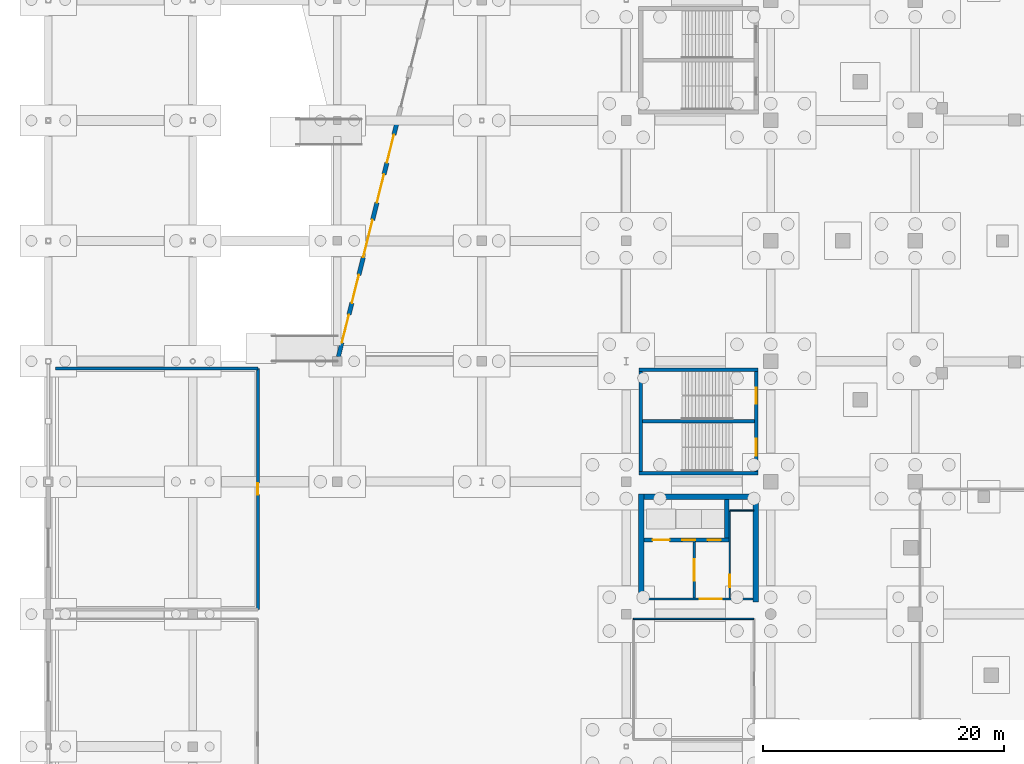
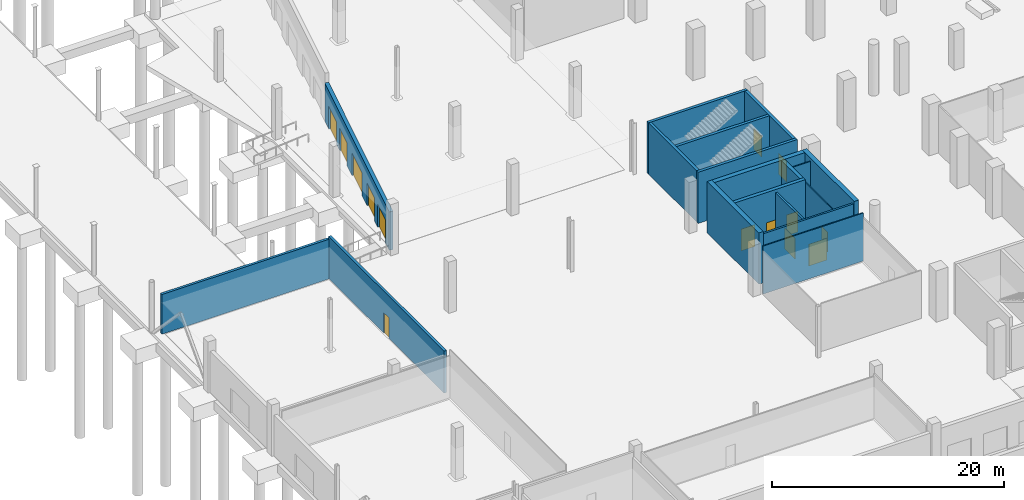
# One storey, part 49 of 70: 18 walls, 14 doors, 14 openings.
"""IFC4 building model written with IfcOpenShell, lengths in metres."""

import ifcopenshell
import ifcopenshell.guid

model = None  # the IFC model being written
_history = None  # IfcOwnerHistory: only IFC2X3 demands one
_inside = {}  # id of a spatial element -> (the spatial element, [elements in it])
_under = {}  # id of a project, library or spatial element -> (it, [spatial elements below it])
_declared = {}  # id of a project -> (the project, [libraries it declares])
_typed = {}  # id of a type object -> (the type object, [elements of that type])
_made_of = {}  # id of a material, layer set ... -> (it, [elements and type objects made of it])


def new_model(schema):
    """Start an empty IFC model of exactly this schema.

    Asked for "IFC4X3", IfcOpenShell would pick the latest addendum, in which some entities
    have other attributes; the version numbers below select the first issue.
    IFC2X3 requires an IfcOwnerHistory on every rooted entity: one is made here for all.
    """
    global model, _history
    if schema == "IFC4X3":
        model = ifcopenshell.file(schema_version=(4, 3, 0, 0))
    else:
        model = ifcopenshell.file(schema=schema)
    _inside.clear()
    _under.clear()
    _declared.clear()
    _typed.clear()
    _made_of.clear()
    _history = None
    if model.schema == "IFC2X3":
        org = make("IfcOrganization", Name="unknown")
        user = make(
            "IfcPersonAndOrganization",
            ThePerson=make("IfcPerson", FamilyName="unknown"),
            TheOrganization=org,
        )
        app = make(
            "IfcApplication",
            ApplicationDeveloper=org,
            Version="unknown",
            ApplicationFullName="unknown",
            ApplicationIdentifier="unknown",
        )
        _history = make(
            "IfcOwnerHistory",
            OwningUser=user,
            OwningApplication=app,
            ChangeAction="ADDED",
            CreationDate=0,
        )
    return model


def make(cls, **values):
    """One entity of the class cls with the attributes given. An attribute that is None is left unset."""
    return model.create_entity(
        cls, **{name: value for name, value in values.items() if value is not None}
    )


def rooted(cls, **values):
    """An entity with a GlobalId (a new one), such as an element, a storey or a relation."""
    return make(cls, GlobalId=ifcopenshell.guid.new(), OwnerHistory=_history, **values)


def si_unit(unit_type, name, prefix=None):
    """IfcSIUnit, for example si_unit("LENGTHUNIT", "METRE", prefix="MILLI")."""
    return make("IfcSIUnit", UnitType=unit_type, Prefix=prefix, Name=name)


def assignment(units):
    """IfcUnitAssignment: the units of a project."""
    return None if units is None else make("IfcUnitAssignment", Units=units)


def point(xyz):
    """IfcCartesianPoint."""
    return None if xyz is None else make("IfcCartesianPoint", Coordinates=xyz)


def direction(xyz):
    """IfcDirection."""
    return None if xyz is None else make("IfcDirection", DirectionRatios=xyz)


def frame(location, z_axis=None, x_axis=None):
    """IfcAxis2Placement3D, a coordinate frame: its origin and axes. An axis left out is left unset."""
    return make(
        "IfcAxis2Placement3D",
        Location=point(location),
        Axis=direction(z_axis),
        RefDirection=direction(x_axis),
    )


def frame_2d(location, x_axis=None):
    """IfcAxis2Placement2D, a coordinate frame in the plane: its origin and x axis."""
    return make(
        "IfcAxis2Placement2D", Location=point(location), RefDirection=direction(x_axis)
    )


def origin():
    """The frame at (0, 0, 0) with its axes left unset."""
    return frame((0.0, 0.0, 0.0))


def place(relative_to, where):
    """IfcLocalPlacement: puts the frame where relative to a parent placement (None: the world)."""
    return make(
        "IfcLocalPlacement", PlacementRelTo=relative_to, RelativePlacement=where
    )


def context(
    kind, dimensions, precision=None, world=None, true_north=None, identifier=None
):
    """IfcGeometricRepresentationContext, for example the 3D "Model" context."""
    return make(
        "IfcGeometricRepresentationContext",
        ContextIdentifier=identifier,
        ContextType=kind,
        CoordinateSpaceDimension=dimensions,
        Precision=precision,
        WorldCoordinateSystem=world,
        TrueNorth=true_north,
    )


def subcontext(parent, identifier, kind, view, scale=None):
    """IfcGeometricRepresentationSubContext, for example "Body" below "Model"."""
    return make(
        "IfcGeometricRepresentationSubContext",
        ContextIdentifier=identifier,
        ContextType=kind,
        ParentContext=parent,
        TargetScale=scale,
        TargetView=view,
    )


def project(units=None, contexts=None):
    """IfcProject with its units and contexts."""
    return rooted(
        "IfcProject",
        Name="project",
        RepresentationContexts=contexts,
        UnitsInContext=assignment(units),
    )


def spatial(cls, under=None, at=None, **own):
    """A site, building, storey or space (cls), placed at a placement, below another one or the project."""
    s = rooted(cls, ObjectPlacement=at, **own)
    if under is not None:
        _under.setdefault(under.id(), (under, []))[1].append(s)
    return s


def profile(cls, at=None, kind="AREA", **sizes):
    """A parametric profile (cls). Its sizes go by their IFC names, for example OverallWidth=200.0."""
    return make(cls, ProfileType=kind, Position=at, **sizes)


def rectangle(**sizes):
    """IfcRectangleProfileDef."""
    return profile("IfcRectangleProfileDef", **sizes)


def extrude(swept, where, along, depth):
    """IfcExtrudedAreaSolid: the profile swept, set in the frame where, extruded along a direction by depth."""
    return make(
        "IfcExtrudedAreaSolid",
        SweptArea=swept,
        Position=where,
        ExtrudedDirection=direction(along),
        Depth=depth,
    )


def shape(context_of_items, identifier, shape_type, items):
    """IfcShapeRepresentation: the items that make up one representation, for example the "Body"."""
    return make(
        "IfcShapeRepresentation",
        ContextOfItems=context_of_items,
        RepresentationIdentifier=identifier,
        RepresentationType=shape_type,
        Items=items,
    )


def material(Name=None, Category=None):
    """IfcMaterial."""
    return make("IfcMaterial", Name=Name, Category=Category)


def layer(
    of_material, thickness, ventilated=None, Name=None, Category=None, Priority=None
):
    """IfcMaterialLayer: one layer of a wall or slab, of a material (None: an air gap)."""
    return make(
        "IfcMaterialLayer",
        Material=of_material,
        LayerThickness=thickness,
        IsVentilated=ventilated,
        Name=Name,
        Category=Category,
        Priority=Priority,
    )


def layer_set(layers, Name=None):
    """IfcMaterialLayerSet."""
    return make("IfcMaterialLayerSet", MaterialLayers=layers, LayerSetName=Name)


def made_of(thing, what):
    """Note that an element or type object is made of a material, layer set ...; save() writes the relation."""
    if what is not None:
        _made_of.setdefault(what.id(), (what, []))[1].append(thing)
    return thing


def type_object(cls, material=None, **own):
    """A type object (cls), such as IfcWallType, which elements share."""
    return made_of(rooted(cls, **own), material)


def element(
    cls,
    number,
    at=None,
    inside=None,
    cuts=None,
    type_object=None,
    material=None,
    context=None,
    identifier="Body",
    shape_type=None,
    held_by="IfcProductDefinitionShape",
    body=None,
    shapes=None,
    **own,
):
    """One element of the class cls, such as IfcWall. Its Tag is "e" and its number.

    at: its placement. inside: the storey or other place that contains it. cuts: it is an
    opening in that element (IfcRelVoidsElement). A single representation is given by context,
    identifier, shape_type and body (its items); several are given by shapes. held_by: the class
    of the entity that holds the representations. save() writes the other relations.
    """
    e = rooted(cls, Tag="e%d" % number, ObjectPlacement=at, **own)
    if body is not None:
        shapes = [shape(context, identifier, shape_type, body)]
    if shapes is not None:
        e.Representation = make(held_by, Representations=shapes)
    if inside is not None:
        _inside.setdefault(inside.id(), (inside, []))[1].append(e)
    if cuts is not None:
        rooted(
            "IfcRelVoidsElement", RelatingBuildingElement=cuts, RelatedOpeningElement=e
        )
    if type_object is not None:
        _typed.setdefault(type_object.id(), (type_object, []))[1].append(e)
    return made_of(e, material)


def fill(opening, filler):
    """IfcRelFillsElement: the door or window that sits in an opening."""
    return rooted(
        "IfcRelFillsElement",
        RelatingOpeningElement=opening,
        RelatedBuildingElement=filler,
    )


def aggregate(whole, parts):
    """IfcRelAggregates: a whole, such as a stair, and the parts it consists of."""
    return rooted("IfcRelAggregates", RelatingObject=whole, RelatedObjects=parts)


def save(model, path):
    """Write the relations noted so far, then the file.

    IfcRelAggregates (storeys below a building ...), IfcRelContainedInSpatialStructure (elements
    in a storey), IfcRelDefinesByType, IfcRelAssociatesMaterial and IfcRelDeclares: one each for
    every whole, place, type object, material and project.
    """
    for whole, parts in _under.values():
        aggregate(whole, parts)
    for where, things in _inside.values():
        rooted(
            "IfcRelContainedInSpatialStructure",
            RelatedElements=things,
            RelatingStructure=where,
        )
    for kind, things in _typed.values():
        rooted("IfcRelDefinesByType", RelatedObjects=things, RelatingType=kind)
    for what, things in _made_of.values():
        rooted("IfcRelAssociatesMaterial", RelatedObjects=things, RelatingMaterial=what)
    for by, libraries in _declared.values():
        rooted("IfcRelDeclares", RelatingContext=by, RelatedDefinitions=libraries)
    model.write(path)


model = new_model("IFC4")

# Units and contexts
model_context = context("Model", 3, precision=1e-05, world=origin(), true_north=direction((0.0, 1.0)))
body_context = subcontext(model_context, "Body", "Model", "MODEL_VIEW")
ifc_project = project(units=[si_unit("LENGTHUNIT", "METRE"), si_unit("AREAUNIT", "SQUARE_METRE"), si_unit("VOLUMEUNIT", "CUBIC_METRE"), si_unit("PLANEANGLEUNIT", "RADIAN"), si_unit("MASSUNIT", "GRAM", prefix="KILO")], contexts=[model_context])

# Site, building, storey
site_placement = place(None, origin())
site = spatial("IfcSite", under=ifc_project, at=site_placement, CompositionType="ELEMENT")
building_placement = place(site_placement, origin())
building = spatial("IfcBuilding", under=site, at=building_placement, Name="Brinegate Civic Arena", CompositionType="ELEMENT")
storey_placement = place(building_placement, origin())
storey = spatial("IfcBuildingStorey", under=building, at=storey_placement, Name="L00", CompositionType="ELEMENT", Elevation=0.0)

# Wall, openings, doors
ifc_material_1 = material(Name="Concrete C50/60", Category="concrete")
ifc_layer_1 = layer(ifc_material_1, 0.35009765625, Name="Concrete C50/60")
ifc_layer_set_1 = layer_set([ifc_layer_1], Name="Concrete C50/60")
wall_type_1 = type_object("IfcWallType", Name="WALL-CORE-SHEAR-350", PredefinedType="SHEAR", material=ifc_layer_set_1)
wall_1_placement = place(storey_placement, frame((49.47509765625, 37.14990234375, 0.0), z_axis=(0.0, 0.0, 1.0), x_axis=(1.0, 0.0, 0.0)))
wall_1 = element("IfcWall", 1, at=wall_1_placement, inside=storey, type_object=wall_type_1, Name="Core K2 Lift Shaft Front Wall L00 (WBF-93)", PredefinedType="SHEAR", context=body_context, shape_type="SweptSolid", body=[
    extrude(rectangle(XDim=7.0498046875, YDim=0.35009765625, at=frame_2d((3.52490234375, 0.0))), origin(), (0.0, 0.0, 1.0), 5.39990234375),
])
opening_1_placement = place(wall_1_placement, frame((0.72509765625, 0.0, 0.0)))
opening_1 = element("IfcOpeningElement", 2, at=opening_1_placement, cuts=wall_1, Name="Opening LD-FL2-L00", PredefinedType="OPENING", context=body_context, shape_type="SweptSolid", body=[
    extrude(rectangle(XDim=1.39990234375, YDim=2.300048828125, at=frame_2d((0.699951171875, 1.14990234375))), frame((0.0, 0.18505859375, 0.0), z_axis=(0.0, -1.0, 0.0), x_axis=(1.0, 0.0, 0.0)), (0.0, 0.0, 1.0), 0.3701171875),
])
opening_2_placement = place(wall_1_placement, frame((3.175048828125, 0.0, 0.0)))
opening_2 = element("IfcOpeningElement", 3, at=opening_2_placement, cuts=wall_1, Name="Opening LD-PL3-L00", PredefinedType="OPENING", context=body_context, shape_type="SweptSolid", body=[
    extrude(rectangle(XDim=1.10009765625, YDim=2.199951171875, at=frame_2d((0.550048828125, 1.10009765625))), frame((0.0, 0.18505859375, 0.0), z_axis=(0.0, -1.0, 0.0), x_axis=(1.0, 0.0, 0.0)), (0.0, 0.0, 1.0), 0.3701171875),
])
opening_3_placement = place(wall_1_placement, frame((5.27490234375, 0.0, 0.0)))
opening_3 = element("IfcOpeningElement", 4, at=opening_3_placement, cuts=wall_1, Name="Opening LD-PL4-L00", PredefinedType="OPENING", context=body_context, shape_type="SweptSolid", body=[
    extrude(rectangle(XDim=1.10009765625, YDim=2.199951171875, at=frame_2d((0.550048828125, 1.10009765625))), frame((0.0, 0.18505859375, 0.0), z_axis=(0.0, -1.0, 0.0), x_axis=(1.0, 0.0, 0.0)), (0.0, 0.0, 1.0), 0.3701171875),
])
ifc_material_2 = material(Name="Architectural stainless steel balustrade", Category="steel")
door_type_1 = type_object("IfcDoorType", Name="DOOR-LIFT-1100X2200", OperationType="SLIDING_TO_LEFT", PredefinedType="DOOR", material=ifc_material_2)
door_1_placement = place(opening_2_placement, origin())
door_1 = element("IfcDoor", 5, at=door_1_placement, inside=storey, type_object=door_type_1, Name="Sliding Lift Landing Door LD-PL3-L00", OperationType="SLIDING_TO_LEFT", OverallHeight=2.199951171875, OverallWidth=1.10009765625, PredefinedType="DOOR", context=body_context, shape_type="SweptSolid", body=[
    extrude(rectangle(XDim=1.10009765625, YDim=2.199951171875, at=frame_2d((0.550048828125, 1.10009765625))), frame((0.0, 0.02490234375, 0.0), z_axis=(0.0, -1.0, 0.0), x_axis=(1.0, 0.0, 0.0)), (0.0, 0.0, 1.0), 0.050048828125),
])
fill(opening_2, door_1)
door_2_placement = place(opening_3_placement, origin())
door_2 = element("IfcDoor", 6, at=door_2_placement, inside=storey, type_object=door_type_1, Name="Sliding Lift Landing Door LD-PL4-L00", OperationType="SLIDING_TO_LEFT", OverallHeight=2.199951171875, OverallWidth=1.10009765625, PredefinedType="DOOR", context=body_context, shape_type="SweptSolid", body=[
    extrude(rectangle(XDim=1.10009765625, YDim=2.199951171875, at=frame_2d((0.550048828125, 1.10009765625))), frame((0.0, 0.02490234375, 0.0), z_axis=(0.0, -1.0, 0.0), x_axis=(1.0, 0.0, 0.0)), (0.0, 0.0, 1.0), 0.050048828125),
])
fill(opening_3, door_2)
door_type_2 = type_object("IfcDoorType", Name="DOOR-LIFT-1400X2300", OperationType="SLIDING_TO_LEFT", PredefinedType="DOOR", material=ifc_material_2)
door_3_placement = place(opening_1_placement, origin())
door_3 = element("IfcDoor", 7, at=door_3_placement, inside=storey, type_object=door_type_2, Name="Sliding Lift Landing Door LD-FL2-L00", OperationType="SLIDING_TO_LEFT", OverallHeight=2.300048828125, OverallWidth=1.39990234375, PredefinedType="DOOR", context=body_context, shape_type="SweptSolid", body=[
    extrude(rectangle(XDim=1.39990234375, YDim=2.300048828125, at=frame_2d((0.699951171875, 1.14990234375))), frame((0.0, 0.02490234375, 0.0), z_axis=(0.0, -1.0, 0.0), x_axis=(1.0, 0.0, 0.0)), (0.0, 0.0, 1.0), 0.050048828125),
])
fill(opening_1, door_3)

# Walls
wall_2_placement = place(storey_placement, frame((56.35009765625, 37.324951171875, 0.0), z_axis=(0.0, 0.0, 1.0), x_axis=(0.0, 1.0, 0.0)))
element("IfcWall", 8, at=wall_2_placement, inside=storey, type_object=wall_type_1, Name="Core K2 Lift Shaft End Wall L00 (WBF-94)", PredefinedType="SHEAR", context=body_context, shape_type="SweptSolid", body=[
    extrude(rectangle(XDim=3.199951171875, YDim=0.35009765625, at=frame_2d((1.60009765625, 0.0))), origin(), (0.0, 0.0, 1.0), 5.39990234375),
])
ifc_layer_2 = layer(ifc_material_1, 0.449951171875, Name="Concrete C50/60")
ifc_layer_set_2 = layer_set([ifc_layer_2], Name="Concrete C50/60")
wall_type_2 = type_object("IfcWallType", Name="WALL-CORE-SHEAR-450", PredefinedType="SHEAR", material=ifc_layer_set_2)
for number, where, z_axis, x_axis, name in (
    (9, (49.25, 32.02490234375, 0.0), (0.0, 0.0, 1.0), (0.0, 1.0, 0.0), "Core K2 West Shear Wall L00 (WBF-90)"),
    (10, (58.75, 32.02490234375, 0.0), (0.0, 0.0, 1.0), (0.0, 1.0, 0.0), "Core K2 East Shear Wall L00 (WBF-91)"),
):
    element("IfcWall", number, at=place(storey_placement, frame(where, z_axis=z_axis, x_axis=x_axis)), inside=storey, type_object=wall_type_2, Name=name, PredefinedType="SHEAR", context=body_context, shape_type="SweptSolid", body=[
        extrude(rectangle(XDim=8.9501953125, YDim=0.449951171875, at=frame_2d((4.47509765625, 0.0))), origin(), (0.0, 0.0, 1.0), 5.39990234375),
    ])
wall_3_placement = place(storey_placement, frame((49.47509765625, 40.75, 0.0), z_axis=(0.0, 0.0, 1.0), x_axis=(1.0, 0.0, 0.0)))
element("IfcWall", 11, at=wall_3_placement, inside=storey, type_object=wall_type_2, Name="Core K2 North Shear Wall L00 (WBF-92)", PredefinedType="SHEAR", context=body_context, shape_type="SweptSolid", body=[
    extrude(rectangle(XDim=9.0498046875, YDim=0.449951171875, at=frame_2d((4.52490234375, 0.0))), origin(), (0.0, 0.0, 1.0), 5.39990234375),
])

# Wall, openings, doors
ifc_material_3 = material(Name="Precast concrete C45/55", Category="concrete")
ifc_layer_3 = layer(ifc_material_3, 0.360107421875, Name="Precast concrete C45/55")
ifc_layer_set_3 = layer_set([ifc_layer_3], Name="Precast concrete C45/55")
wall_type_3 = type_object("IfcWallType", Name="WALL-EXT-PRECAST-360", PredefinedType="SOLIDWALL", material=ifc_layer_set_3)
wall_4_placement = place(storey_placement, frame((24.093017578125, 52.3740234375, 0.0), z_axis=(0.0, 0.0, 1.0), x_axis=(0.242558341543, 0.970136820736, 0.0)))
wall_4 = element("IfcWall", 12, at=wall_4_placement, inside=storey, type_object=wall_type_3, Name="L00 Perimeter Wall WF-1 (WBA-28)", PredefinedType="SOLIDWALL", context=body_context, shape_type="SweptSolid", body=[
    extrude(rectangle(XDim=20.230224609375, YDim=0.360107421875, at=frame_2d((10.115234375, 0.0))), origin(), (0.0, 0.0, 1.0), 4.0400390625),
])
opening_4_placement = place(wall_4_placement, frame((8.514892578125, 0.0, 0.0)))
opening_4 = element("IfcOpeningElement", 13, at=opening_4_placement, cuts=wall_4, Name="Opening E-11", PredefinedType="OPENING", context=body_context, shape_type="SweptSolid", body=[
    extrude(rectangle(XDim=3.199951171875, YDim=2.39990234375, at=frame_2d((1.60009765625, 1.199951171875))), frame((0.0, 0.18994140625, 0.0), z_axis=(0.0, -1.0, 0.0), x_axis=(1.0, 0.0, 0.0)), (0.0, 0.0, 1.0), 0.380126953125),
])
opening_5_placement = place(wall_4_placement, frame((1.199951171875, 0.0, 0.0)))
opening_5 = element("IfcOpeningElement", 14, at=opening_5_placement, cuts=wall_4, Name="Opening E-19", PredefinedType="OPENING", context=body_context, shape_type="SweptSolid", body=[
    extrude(rectangle(XDim=2.39990234375, YDim=2.39990234375, at=frame_2d((1.199951171875, 1.199951171875))), frame((0.0, 0.18994140625, 0.0), z_axis=(0.0, -1.0, 0.0), x_axis=(1.0, 0.0, 0.0)), (0.0, 0.0, 1.0), 0.380126953125),
])
opening_6_placement = place(wall_4_placement, frame((4.60009765625, 0.0, 0.0)))
opening_6 = element("IfcOpeningElement", 15, at=opening_6_placement, cuts=wall_4, Name="Opening E-20", PredefinedType="OPENING", context=body_context, shape_type="SweptSolid", body=[
    extrude(rectangle(XDim=2.39990234375, YDim=2.39990234375, at=frame_2d((1.199951171875, 1.199951171875))), frame((0.0, 0.18994140625, 0.0), z_axis=(0.0, -1.0, 0.0), x_axis=(1.0, 0.0, 0.0)), (0.0, 0.0, 1.0), 0.380126953125),
])
opening_7_placement = place(wall_4_placement, frame((13.199951171875, 0.0, 0.0)))
opening_7 = element("IfcOpeningElement", 16, at=opening_7_placement, cuts=wall_4, Name="Opening E-21", PredefinedType="OPENING", context=body_context, shape_type="SweptSolid", body=[
    extrude(rectangle(XDim=2.39990234375, YDim=2.39990234375, at=frame_2d((1.199951171875, 1.199951171875))), frame((0.0, 0.18994140625, 0.0), z_axis=(0.0, -1.0, 0.0), x_axis=(1.0, 0.0, 0.0)), (0.0, 0.0, 1.0), 0.380126953125),
])
opening_8_placement = place(wall_4_placement, frame((16.60009765625, 0.0, 0.0)))
opening_8 = element("IfcOpeningElement", 17, at=opening_8_placement, cuts=wall_4, Name="Opening E-22", PredefinedType="OPENING", context=body_context, shape_type="SweptSolid", body=[
    extrude(rectangle(XDim=2.39990234375, YDim=2.39990234375, at=frame_2d((1.199951171875, 1.199951171875))), frame((0.0, 0.18994140625, 0.0), z_axis=(0.0, -1.0, 0.0), x_axis=(1.0, 0.0, 0.0)), (0.0, 0.0, 1.0), 0.380126953125),
])
ifc_material_4 = material(Name="Marine grade aluminium", Category="aluminium")
door_type_3 = type_object("IfcDoorType", Name="DOOR-FINAL-EXIT-2400X2400", OperationType="NOTDEFINED", PredefinedType="DOOR", material=ifc_material_4)
door_4_placement = place(opening_5_placement, origin())
door_4 = element("IfcDoor", 18, at=door_4_placement, inside=storey, type_object=door_type_3, Name="Main Pedestrian Final Exit Door E-19", OperationType="DOUBLE_DOOR_SINGLE_SWING", OverallHeight=2.39990234375, OverallWidth=2.39990234375, PredefinedType="DOOR", context=body_context, shape_type="SweptSolid", body=[
    extrude(rectangle(XDim=2.39990234375, YDim=2.39990234375, at=frame_2d((1.199951171875, 1.199951171875))), frame((0.0, 0.02490234375, 0.0), z_axis=(0.0, -1.0, 0.0), x_axis=(1.0, 0.0, 0.0)), (0.0, 0.0, 1.0), 0.050048828125),
])
fill(opening_5, door_4)
door_5_placement = place(opening_6_placement, origin())
door_5 = element("IfcDoor", 19, at=door_5_placement, inside=storey, type_object=door_type_3, Name="Main Pedestrian Final Exit Door E-20", OperationType="DOUBLE_DOOR_SINGLE_SWING", OverallHeight=2.39990234375, OverallWidth=2.39990234375, PredefinedType="DOOR", context=body_context, shape_type="SweptSolid", body=[
    extrude(rectangle(XDim=2.39990234375, YDim=2.39990234375, at=frame_2d((1.199951171875, 1.199951171875))), frame((0.0, 0.02490234375, 0.0), z_axis=(0.0, -1.0, 0.0), x_axis=(1.0, 0.0, 0.0)), (0.0, 0.0, 1.0), 0.050048828125),
])
fill(opening_6, door_5)
door_6_placement = place(opening_7_placement, origin())
door_6 = element("IfcDoor", 20, at=door_6_placement, inside=storey, type_object=door_type_3, Name="Main Pedestrian Final Exit Door E-21", OperationType="DOUBLE_DOOR_SINGLE_SWING", OverallHeight=2.39990234375, OverallWidth=2.39990234375, PredefinedType="DOOR", context=body_context, shape_type="SweptSolid", body=[
    extrude(rectangle(XDim=2.39990234375, YDim=2.39990234375, at=frame_2d((1.199951171875, 1.199951171875))), frame((0.0, 0.02490234375, 0.0), z_axis=(0.0, -1.0, 0.0), x_axis=(1.0, 0.0, 0.0)), (0.0, 0.0, 1.0), 0.050048828125),
])
fill(opening_7, door_6)
door_7_placement = place(opening_8_placement, origin())
door_7 = element("IfcDoor", 21, at=door_7_placement, inside=storey, type_object=door_type_3, Name="Main Pedestrian Final Exit Door E-22", OperationType="DOUBLE_DOOR_SINGLE_SWING", OverallHeight=2.39990234375, OverallWidth=2.39990234375, PredefinedType="DOOR", context=body_context, shape_type="SweptSolid", body=[
    extrude(rectangle(XDim=2.39990234375, YDim=2.39990234375, at=frame_2d((1.199951171875, 1.199951171875))), frame((0.0, 0.02490234375, 0.0), z_axis=(0.0, -1.0, 0.0), x_axis=(1.0, 0.0, 0.0)), (0.0, 0.0, 1.0), 0.050048828125),
])
fill(opening_8, door_7)
door_type_4 = type_object("IfcDoorType", Name="DOOR-FINAL-EXIT-3200X2400", OperationType="NOTDEFINED", PredefinedType="DOOR", material=ifc_material_4)
door_8_placement = place(opening_4_placement, origin())
door_8 = element("IfcDoor", 22, at=door_8_placement, inside=storey, type_object=door_type_4, Name="Main Pedestrian Final Exit Door E-11", OperationType="DOUBLE_DOOR_SINGLE_SWING", OverallHeight=2.39990234375, OverallWidth=3.199951171875, PredefinedType="DOOR", context=body_context, shape_type="SweptSolid", body=[
    extrude(rectangle(XDim=3.199951171875, YDim=2.39990234375, at=frame_2d((1.60009765625, 1.199951171875))), frame((0.0, 0.02490234375, 0.0), z_axis=(0.0, -1.0, 0.0), x_axis=(1.0, 0.0, 0.0)), (0.0, 0.0, 1.0), 0.050048828125),
])
fill(opening_4, door_8)

# Wall, opening, door
ifc_material_5 = material(Name="Concrete C40/50", Category="concrete")
ifc_layer_4 = layer(ifc_material_5, 0.25, Name="Concrete C40/50")
ifc_layer_set_4 = layer_set([ifc_layer_4], Name="Concrete C40/50")
wall_type_4 = type_object("IfcWallType", Name="WALL-INT-SOLID-250", PredefinedType="SOLIDWALL", material=ifc_layer_set_4)
wall_5_placement = place(storey_placement, frame((17.39990234375, 51.39990234375, 0.0), z_axis=(0.0, 0.0, 1.0), x_axis=(0.0, -1.0, 0.0)))
wall_5 = element("IfcWall", 23, at=wall_5_placement, inside=storey, type_object=wall_type_4, Name="Youth Sports Classrooms and Coaching Rooms Partition Wall E1 (WBI-63)", PredefinedType="SOLIDWALL", context=body_context, shape_type="SweptSolid", body=[
    extrude(rectangle(XDim=20.0, YDim=0.25, at=frame_2d((10.0, 0.0))), origin(), (0.0, 0.0, 1.0), 4.424072265625),
])
opening_9_placement = place(wall_5_placement, frame((9.52490234375, 0.0, 0.0)))
opening_9 = element("IfcOpeningElement", 24, at=opening_9_placement, cuts=wall_5, Name="Opening D-L00-162", PredefinedType="OPENING", context=body_context, shape_type="SweptSolid", body=[
    extrude(rectangle(XDim=0.949951171875, YDim=2.14990234375, at=frame_2d((0.47509765625, 1.074951171875))), frame((0.0, 0.135009765625, 0.0), z_axis=(0.0, -1.0, 0.0), x_axis=(1.0, 0.0, 0.0)), (0.0, 0.0, 1.0), 0.27001953125),
])
ifc_material_6 = material(Name="Hardwood acoustic timber door", Category="wood")
door_type_5 = type_object("IfcDoorType", Name="DOOR-OFFICE-950X2150", OperationType="NOTDEFINED", PredefinedType="DOOR", material=ifc_material_6)
door_9_placement = place(opening_9_placement, origin())
door_9 = element("IfcDoor", 25, at=door_9_placement, inside=storey, type_object=door_type_5, Name="Youth Sports Classrooms and Coaching Rooms Door D-L00-162", OperationType="SINGLE_SWING_LEFT", OverallHeight=2.14990234375, OverallWidth=0.949951171875, PredefinedType="DOOR", context=body_context, shape_type="SweptSolid", body=[
    extrude(rectangle(XDim=0.949951171875, YDim=2.14990234375, at=frame_2d((0.47509765625, 1.074951171875))), frame((0.0, 0.02490234375, 0.0), z_axis=(0.0, -1.0, 0.0), x_axis=(1.0, 0.0, 0.0)), (0.0, 0.0, 1.0), 0.050048828125),
])
fill(opening_9, door_9)

# Wall
wall_6_placement = place(storey_placement, frame((0.60009765625, 51.39990234375, 0.0), z_axis=(0.0, 0.0, 1.0), x_axis=(1.0, 0.0, 0.0)))
element("IfcWall", 26, at=wall_6_placement, inside=storey, type_object=wall_type_4, Name="Youth Sports Classrooms and Coaching Rooms Partition Wall E4 (WBI-65)", PredefinedType="SOLIDWALL", context=body_context, shape_type="SweptSolid", body=[
    extrude(rectangle(XDim=16.7998046875, YDim=0.25, at=frame_2d((8.39990234375, 0.0))), origin(), (0.0, 0.0, 1.0), 4.18994140625),
])

# Wall, opening, door
ifc_material_7 = material(Name="Concrete blockwork masonry", Category="masonry")
ifc_layer_5 = layer(ifc_material_7, 0.18994140625, Name="Concrete blockwork masonry")
ifc_layer_set_5 = layer_set([ifc_layer_5], Name="Concrete blockwork masonry")
wall_type_5 = type_object("IfcWallType", Name="WALL-PART-RATED-190", PredefinedType="PARTITIONING", material=ifc_layer_set_5)
wall_7_placement = place(storey_placement, frame((49.469970703125, 32.25, 0.0), z_axis=(0.0, 0.0, 1.0), x_axis=(1.0, 0.0, 0.0)))
wall_7 = element("IfcWall", 27, at=wall_7_placement, inside=storey, type_object=wall_type_5, Name="Core K2 Concourse Lobby Wall L00 (WBF-95)", PredefinedType="PARTITIONING", context=body_context, shape_type="SweptSolid", body=[
    extrude(rectangle(XDim=9.06005859375, YDim=0.18994140625, at=frame_2d((4.530029296875, 0.0))), origin(), (0.0, 0.0, 1.0), 5.06005859375),
])
opening_10_placement = place(wall_7_placement, frame((4.64990234375, 0.0, 0.0)))
opening_10 = element("IfcOpeningElement", 28, at=opening_10_placement, cuts=wall_7, Name="Opening D-K2L-L00", PredefinedType="OPENING", context=body_context, shape_type="SweptSolid", body=[
    extrude(rectangle(XDim=1.800048828125, YDim=2.300048828125, at=frame_2d((0.89990234375, 1.14990234375))), frame((0.0, 0.10498046875, 0.0), z_axis=(0.0, -1.0, 0.0), x_axis=(1.0, 0.0, 0.0)), (0.0, 0.0, 1.0), 0.2099609375),
])
door_type_6 = type_object("IfcDoorType", Name="DOOR-CONC-1800X2300", OperationType="NOTDEFINED", PredefinedType="DOOR", material=ifc_material_4)
door_10_placement = place(opening_10_placement, origin())
door_10 = element("IfcDoor", 29, at=door_10_placement, inside=storey, type_object=door_type_6, Name="Lift Lobby Door D-K2L-L00", OperationType="DOUBLE_DOOR_SINGLE_SWING", OverallHeight=2.300048828125, OverallWidth=1.800048828125, PredefinedType="DOOR", context=body_context, shape_type="SweptSolid", body=[
    extrude(rectangle(XDim=1.800048828125, YDim=2.300048828125, at=frame_2d((0.89990234375, 1.14990234375))), frame((0.0, 0.02490234375, 0.0), z_axis=(0.0, -1.0, 0.0), x_axis=(1.0, 0.0, 0.0)), (0.0, 0.0, 1.0), 0.050048828125),
])
fill(opening_10, door_10)

wall_8_placement = place(storey_placement, frame((53.64990234375, 32.35009765625, 0.0), z_axis=(0.0, 0.0, 1.0), x_axis=(0.0, 1.0, 0.0)))
wall_8 = element("IfcWall", 30, at=wall_8_placement, inside=storey, type_object=wall_type_5, Name="Firefighting Lobby K2 Wall L00 (WBF-96)", PredefinedType="PARTITIONING", context=body_context, shape_type="SweptSolid", body=[
    extrude(rectangle(XDim=4.625, YDim=0.18994140625, at=frame_2d((2.3125, 0.0))), origin(), (0.0, 0.0, 1.0), 5.06005859375),
])
opening_11_placement = place(wall_8_placement, frame((1.4130859375, 0.0, 0.0)))
opening_11 = element("IfcOpeningElement", 31, at=opening_11_placement, cuts=wall_8, Name="Opening D-K2F-L00", PredefinedType="OPENING", context=body_context, shape_type="SweptSolid", body=[
    extrude(rectangle(XDim=1.800048828125, YDim=2.199951171875, at=frame_2d((0.89990234375, 1.10009765625))), frame((0.0, 0.10498046875, 0.0), z_axis=(0.0, -1.0, 0.0), x_axis=(1.0, 0.0, 0.0)), (0.0, 0.0, 1.0), 0.2099609375),
])
ifc_material_8 = material(Name="Galvanized hurricane steel", Category="steel")
door_type_7 = type_object("IfcDoorType", Name="DOOR-FFLOB-1800X2200", OperationType="NOTDEFINED", PredefinedType="DOOR", material=ifc_material_8)
door_11_placement = place(opening_11_placement, origin())
door_11 = element("IfcDoor", 32, at=door_11_placement, inside=storey, type_object=door_type_7, Name="Firefighting Lift Lobby Door D-K2F-L00", OperationType="DOUBLE_DOOR_SINGLE_SWING", OverallHeight=2.199951171875, OverallWidth=1.800048828125, PredefinedType="DOOR", context=body_context, shape_type="SweptSolid", body=[
    extrude(rectangle(XDim=1.800048828125, YDim=2.199951171875, at=frame_2d((0.89990234375, 1.10009765625))), frame((0.0, 0.02490234375, 0.0), z_axis=(0.0, -1.0, 0.0), x_axis=(1.0, 0.0, 0.0)), (0.0, 0.0, 1.0), 0.050048828125),
])
fill(opening_11, door_11)

# Wall
ifc_material_9 = material(Name="Fire-rated gypsum partition assembly")
ifc_layer_6 = layer(ifc_material_9, 0.114990234375, Name="Fire-rated gypsum partition assembly")
ifc_layer_set_6 = layer_set([ifc_layer_6], Name="Fire-rated gypsum partition assembly")
wall_type_6 = type_object("IfcWallType", Name="WALL-PART-STD-115", PredefinedType="PARTITIONING", material=ifc_layer_set_6)
wall_9_placement = place(storey_placement, frame((48.60009765625, 30.60009765625, 0.0), z_axis=(0.0, 0.0, 1.0), x_axis=(1.0, 0.0, 0.0)))
element("IfcWall", 33, at=wall_9_placement, inside=storey, type_object=wall_type_6, Name="Broadcast Outside-Broadcast Van Compound Partition Wall E4 (WBI-59)", PredefinedType="PARTITIONING", context=body_context, shape_type="SweptSolid", body=[
    extrude(rectangle(XDim=10.0, YDim=0.114990234375, at=frame_2d((5.0, 0.0))), origin(), (0.0, 0.0, 1.0), 5.06005859375),
])

# Wall, opening, door
ifc_layer_7 = layer(ifc_material_7, 0.10009765625, Name="Concrete blockwork masonry")
ifc_layer_set_7 = layer_set([ifc_layer_7], Name="Concrete blockwork masonry")
wall_type_7 = type_object("IfcWallType", Name="WALL-PART-WET-100", PredefinedType="PARTITIONING", material=ifc_layer_set_7)
wall_10_placement = place(storey_placement, frame((56.60009765625, 32.35009765625, 0.0), z_axis=(0.0, 0.0, 1.0), x_axis=(0.0, 1.0, 0.0)))
wall_10 = element("IfcWall", 34, at=wall_10_placement, inside=storey, type_object=wall_type_7, Name="Accessible WC K2 Partition L00 (WBF-97)", PredefinedType="PARTITIONING", context=body_context, shape_type="SweptSolid", body=[
    extrude(rectangle(XDim=7.25, YDim=0.10009765625, at=frame_2d((3.625, 0.0))), origin(), (0.0, 0.0, 1.0), 5.06005859375),
])
opening_12_placement = place(wall_10_placement, frame((0.89990234375, 0.0, 0.0)))
opening_12 = element("IfcOpeningElement", 35, at=opening_12_placement, cuts=wall_10, Name="Opening D-K2W-L00", PredefinedType="OPENING", context=body_context, shape_type="SweptSolid", body=[
    extrude(rectangle(XDim=1.0, YDim=2.10009765625, at=frame_2d((0.5, 1.050048828125))), frame((0.0, 0.06005859375, 0.0), z_axis=(0.0, -1.0, 0.0), x_axis=(1.0, 0.0, 0.0)), (0.0, 0.0, 1.0), 0.1201171875),
])
door_type_8 = type_object("IfcDoorType", Name="DOOR-AWC-1000X2100", OperationType="NOTDEFINED", PredefinedType="DOOR", material=ifc_material_6)
door_12_placement = place(opening_12_placement, origin())
door_12 = element("IfcDoor", 36, at=door_12_placement, inside=storey, type_object=door_type_8, Name="Accessible WC Door D-K2W-L00", OperationType="SINGLE_SWING_LEFT", OverallHeight=2.10009765625, OverallWidth=1.0, PredefinedType="DOOR", context=body_context, shape_type="SweptSolid", body=[
    extrude(rectangle(XDim=1.0, YDim=2.10009765625, at=frame_2d((0.5, 1.050048828125))), frame((0.0, 0.02490234375, 0.0), z_axis=(0.0, -1.0, 0.0), x_axis=(1.0, 0.0, 0.0)), (0.0, 0.0, 1.0), 0.050048828125),
])
fill(opening_12, door_12)

# Walls
wall_11_placement = place(storey_placement, frame((56.60009765625, 39.60009765625, 0.0), z_axis=(0.0, 0.0, 1.0), x_axis=(1.0, 0.0, 0.0)))
element("IfcWall", 37, at=wall_11_placement, inside=storey, type_object=wall_type_7, Name="Accessible WC K2 Back Partition L00 (WBF-98)", PredefinedType="PARTITIONING", context=body_context, shape_type="SweptSolid", body=[
    extrude(rectangle(XDim=2.0, YDim=0.10009765625, at=frame_2d((1.0, 0.0))), origin(), (0.0, 0.0, 1.0), 5.06005859375),
])
ifc_layer_8 = layer(ifc_material_1, 0.2900390625, Name="Concrete C50/60")
ifc_layer_set_8 = layer_set([ifc_layer_8], Name="Concrete C50/60")
wall_type_8 = type_object("IfcWallType", Name="WALL-STAIR-SHEAR-290", PredefinedType="SHEAR", material=ifc_layer_set_8)
for number, where, z_axis, x_axis, name in (
    (38, (49.054931640625, 42.699951171875, 0.0), (0.0, 0.0, 1.0), (1.0, 0.0, 0.0), "Stair ST-08 South Shear Wall L00 (WBC-98)"),
    (39, (49.054931640625, 51.300048828125, 0.0), (0.0, 0.0, 1.0), (1.0, 0.0, 0.0), "Stair ST-08 North Shear Wall L00 (WBC-99)"),
):
    element("IfcWall", number, at=place(storey_placement, frame(where, z_axis=z_axis, x_axis=x_axis)), inside=storey, type_object=wall_type_8, Name=name, PredefinedType="SHEAR", context=body_context, shape_type="SweptSolid", body=[
        extrude(rectangle(XDim=9.89013671875, YDim=0.2900390625, at=frame_2d((4.945068359375, 0.0))), origin(), (0.0, 0.0, 1.0), 5.39990234375),
    ])
wall_12_placement = place(storey_placement, frame((49.199951171875, 42.844970703125, 0.0), z_axis=(0.0, 0.0, 1.0), x_axis=(0.0, 1.0, 0.0)))
element("IfcWall", 40, at=wall_12_placement, inside=storey, type_object=wall_type_8, Name="Stair ST-08 West Shear Wall L00 (WBD-01)", PredefinedType="SHEAR", context=body_context, shape_type="SweptSolid", body=[
    extrude(rectangle(XDim=8.31005859375, YDim=0.2900390625, at=frame_2d((4.155029296875, 0.0))), origin(), (0.0, 0.0, 1.0), 5.39990234375),
])

# Wall, openings, doors
wall_13_placement = place(storey_placement, frame((58.800048828125, 42.844970703125, 0.0), z_axis=(0.0, 0.0, 1.0), x_axis=(0.0, 1.0, 0.0)))
wall_13 = element("IfcWall", 41, at=wall_13_placement, inside=storey, type_object=wall_type_8, Name="Stair ST-08 East Shear Wall L00 (WBD-02)", PredefinedType="SHEAR", context=body_context, shape_type="SweptSolid", body=[
    extrude(rectangle(XDim=8.31005859375, YDim=0.2900390625, at=frame_2d((4.155029296875, 0.0))), origin(), (0.0, 0.0, 1.0), 5.39990234375),
])
opening_13_placement = place(wall_13_placement, frame((1.304931640625, 0.0, 0.0)))
opening_13 = element("IfcOpeningElement", 42, at=opening_13_placement, cuts=wall_13, Name="Opening D-ST08A-L00", PredefinedType="OPENING", context=body_context, shape_type="SweptSolid", body=[
    extrude(rectangle(XDim=1.39990234375, YDim=2.199951171875, at=frame_2d((0.699951171875, 1.10009765625))), frame((0.0, 0.155029296875, 0.0), z_axis=(0.0, -1.0, 0.0), x_axis=(1.0, 0.0, 0.0)), (0.0, 0.0, 1.0), 0.31005859375),
])
opening_14_placement = place(wall_13_placement, frame((5.64501953125, 0.0, 0.0)))
opening_14 = element("IfcOpeningElement", 43, at=opening_14_placement, cuts=wall_13, Name="Opening D-ST08B-L00", PredefinedType="OPENING", context=body_context, shape_type="SweptSolid", body=[
    extrude(rectangle(XDim=1.320068359375, YDim=2.199951171875, at=frame_2d((0.66015625, 1.10009765625))), frame((0.0, 0.155029296875, 0.0), z_axis=(0.0, -1.0, 0.0), x_axis=(1.0, 0.0, 0.0)), (0.0, 0.0, 1.0), 0.31005859375),
])
door_type_9 = type_object("IfcDoorType", Name="DOOR-STAIR-2200X2200", OperationType="NOTDEFINED", PredefinedType="DOOR", material=ifc_material_8)
door_13_placement = place(opening_14_placement, origin())
door_13 = element("IfcDoor", 44, at=door_13_placement, inside=storey, type_object=door_type_9, Name="Protected Exit Stair Door D-ST08B-L00", OperationType="DOUBLE_DOOR_SINGLE_SWING", OverallHeight=2.199951171875, OverallWidth=1.320068359375, PredefinedType="DOOR", context=body_context, shape_type="SweptSolid", body=[
    extrude(rectangle(XDim=1.320068359375, YDim=2.199951171875, at=frame_2d((0.66015625, 1.10009765625))), frame((0.0, 0.02490234375, 0.0), z_axis=(0.0, -1.0, 0.0), x_axis=(1.0, 0.0, 0.0)), (0.0, 0.0, 1.0), 0.050048828125),
])
fill(opening_14, door_13)
door_type_10 = type_object("IfcDoorType", Name="DOOR-STAIR-2400X2200", OperationType="NOTDEFINED", PredefinedType="DOOR", material=ifc_material_8)
door_14_placement = place(opening_13_placement, origin())
door_14 = element("IfcDoor", 45, at=door_14_placement, inside=storey, type_object=door_type_10, Name="Protected Exit Stair Door D-ST08A-L00", OperationType="DOUBLE_DOOR_SINGLE_SWING", OverallHeight=2.199951171875, OverallWidth=1.39990234375, PredefinedType="DOOR", context=body_context, shape_type="SweptSolid", body=[
    extrude(rectangle(XDim=1.39990234375, YDim=2.199951171875, at=frame_2d((0.699951171875, 1.10009765625))), frame((0.0, 0.02490234375, 0.0), z_axis=(0.0, -1.0, 0.0), x_axis=(1.0, 0.0, 0.0)), (0.0, 0.0, 1.0), 0.050048828125),
])
fill(opening_13, door_14)

# Wall
wall_14_placement = place(storey_placement, frame((49.344970703125, 47.0, 0.0), z_axis=(0.0, 0.0, 1.0), x_axis=(1.0, 0.0, 0.0)))
element("IfcWall", 46, at=wall_14_placement, inside=storey, type_object=wall_type_8, Name="Stair ST-08 Central Dividing Shear Wall L00 (WBD-03)", PredefinedType="SHEAR", context=body_context, shape_type="SweptSolid", body=[
    extrude(rectangle(XDim=9.31005859375, YDim=0.2900390625, at=frame_2d((4.655029296875, 0.0))), origin(), (0.0, 0.0, 1.0), 5.39990234375),
])

save(model, "model.ifc")
